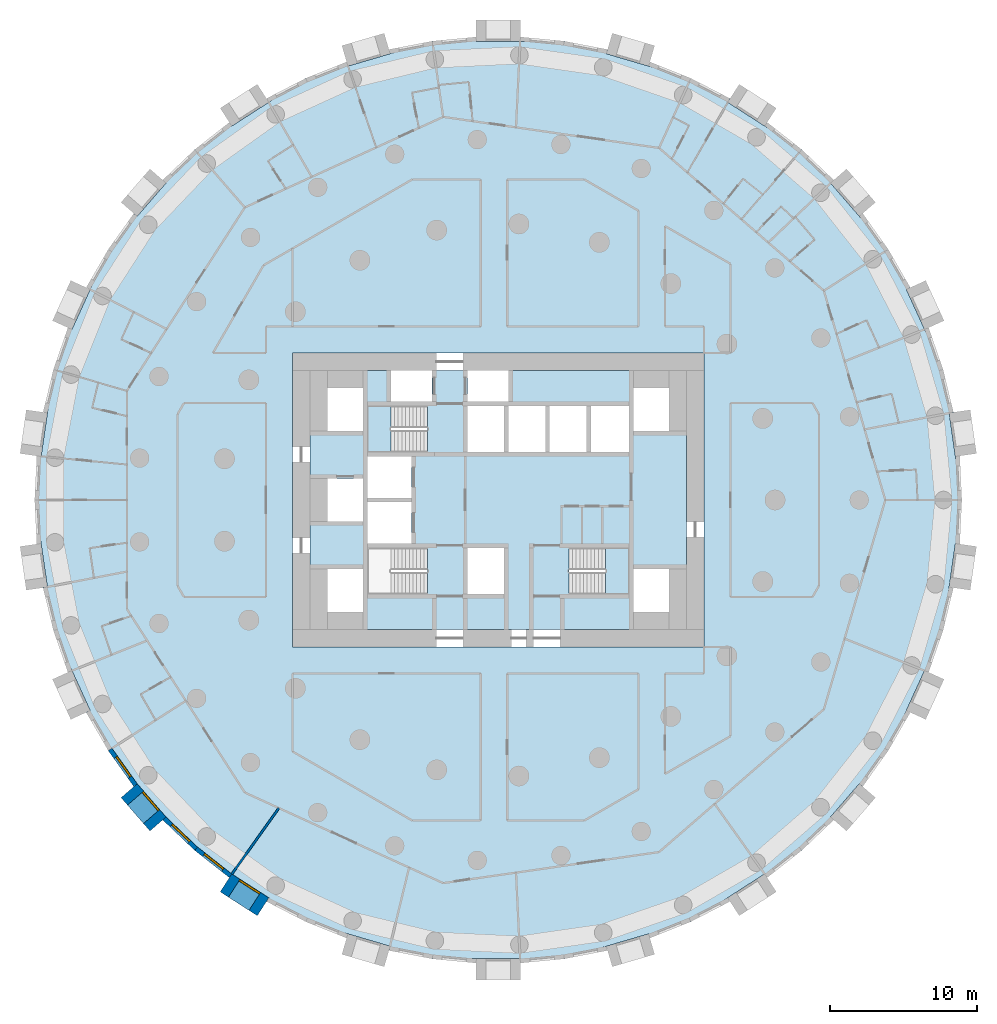
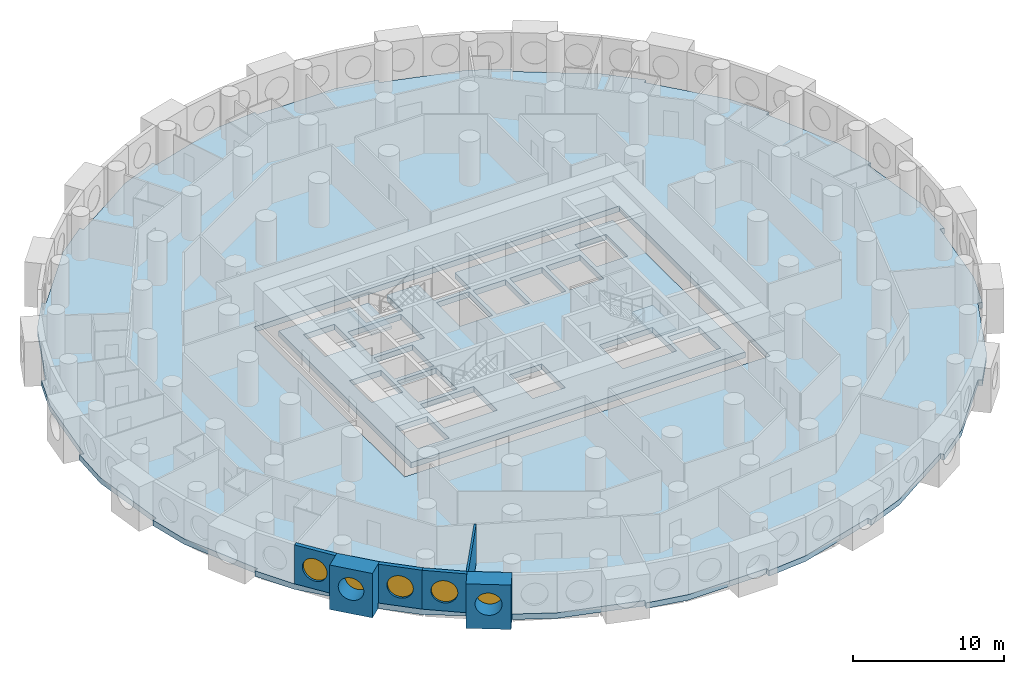
# One storey, part 2 of 12: 6 walls, 5 windows, 4 slabs, 5 openings, 2 elements without a shape of their own.
"""IFC4 building model written with IfcOpenShell, lengths in metres."""

from ifc_helpers import new_model, si_unit, direction, frame, frame_2d, origin, origin_2d, place, context, subcontext, project, spatial, polyline, rectangle, circle, outline, extrude, material, layer, layer_set, type_object, element, fill, aggregate, save


model = new_model("IFC4")

# Units and contexts
model_context = context("Model", 3, precision=1e-05, world=origin(), true_north=direction((0.0, 1.0)))
body_context = subcontext(model_context, "Body", "Model", "MODEL_VIEW")
ifc_project = project(units=[si_unit("LENGTHUNIT", "METRE"), si_unit("AREAUNIT", "SQUARE_METRE"), si_unit("VOLUMEUNIT", "CUBIC_METRE"), si_unit("PLANEANGLEUNIT", "RADIAN"), si_unit("MASSUNIT", "GRAM", prefix="KILO")], contexts=[model_context])

# Site, building, storey
site_placement = place(None, origin())
site = spatial("IfcSite", under=ifc_project, at=site_placement, CompositionType="ELEMENT")
building_placement = place(site_placement, origin())
building = spatial("IfcBuilding", under=site, at=building_placement, Name="Tracery Tower", CompositionType="ELEMENT")
storey_placement = place(building_placement, frame((0.0, 0.0, 103.800048828125)))
storey = spatial("IfcBuildingStorey", under=building, at=storey_placement, Name="L26", CompositionType="ELEMENT", Elevation=103.800048828125)

# Slabs
ifc_material_1 = material(Name="Concrete C60/75", Category="concrete")
ifc_layer_1 = layer(ifc_material_1, 0.449951171875)
ifc_layer_set_1 = layer_set([ifc_layer_1], Name="Core floor slab 450 C60")
slab_type_1 = type_object("IfcSlabType", Name="Core floor slab 450 C60", PredefinedType="FLOOR", material=ifc_layer_set_1)
slab_1_placement = place(storey_placement, frame((0.0, 0.0, -0.449951171875)))
element("IfcSlab", 1, at=slab_1_placement, inside=storey, type_object=slab_type_1, Name="L26 core floor 1", PredefinedType="FLOOR", context=body_context, shape_type="SweptSolid", body=[
    extrude(outline(polyline([(-12.800048828125, 8.800048828125), (-7.300048828125, 8.800048828125), (-7.300048828125, 6.699951171875), (-4.5, 6.699951171875), (-4.5, 8.800048828125), (-2.10009765625, 8.800048828125), (-2.10009765625, 6.699951171875), (0.699951171875, 6.699951171875), (0.699951171875, 8.800048828125), (12.800048828125, 8.800048828125), (12.800048828125, -8.800048828125), (-12.800048828125, -8.800048828125), (-12.800048828125, 8.800048828125)]), holes=[polyline([(11.60009765625, -7.60009765625), (11.60009765625, -4.699951171875), (9.199951171875, -4.699951171875), (9.199951171875, -7.60009765625), (11.60009765625, -7.60009765625)]), polyline([(11.60009765625, 4.699951171875), (11.60009765625, 7.60009765625), (9.199951171875, 7.60009765625), (9.199951171875, 4.699951171875), (11.60009765625, 4.699951171875)]), polyline([(4.800537109375, -3.25), (4.800537109375, -6.39990234375), (8.89990234375, -6.39990234375), (8.89990234375, -3.25), (4.800537109375, -3.25)]), polyline([(6.300048828125, 3.25), (8.89990234375, 3.25), (8.89990234375, 6.39990234375), (6.300048828125, 6.39990234375), (6.300048828125, 3.25)]), polyline([(3.5, 3.25), (6.0, 3.25), (6.0, 6.39990234375), (3.5, 6.39990234375), (3.5, 3.25)]), polyline([(3.199951171875, 3.25), (3.199951171875, 6.39990234375), (0.699951171875, 6.39990234375), (0.699951171875, 3.25), (3.199951171875, 3.25)]), polyline([(-2.10009765625, 3.25), (0.39990234375, 3.25), (0.39990234375, 6.39990234375), (-2.10009765625, 6.39990234375), (-2.10009765625, 3.25)]), polyline([(0.39990234375, -6.39990234375), (0.39990234375, -3.25), (-2.10009765625, -3.25), (-2.10009765625, -6.39990234375), (0.39990234375, -6.39990234375)]), polyline([(-4.800537109375, -3.25), (-8.89990234375, -3.25), (-8.89990234375, -6.39990234375), (-4.800537109375, -6.39990234375), (-4.800537109375, -3.25)]), polyline([(-4.800537109375, 6.39990234375), (-8.89990234375, 6.39990234375), (-8.89990234375, 3.25), (-4.800537109375, 3.25), (-4.800537109375, 6.39990234375)]), polyline([(-8.89990234375, -2.949951171875), (-5.89990234375, -2.949951171875), (-5.89990234375, -0.14990234375), (-8.89990234375, -0.14990234375), (-8.89990234375, -2.949951171875)]), polyline([(-5.89990234375, 0.14990234375), (-5.89990234375, 2.949951171875), (-8.89990234375, 2.949951171875), (-8.89990234375, 0.14990234375), (-5.89990234375, 0.14990234375)]), polyline([(-11.60009765625, 4.699951171875), (-9.199951171875, 4.699951171875), (-9.199951171875, 7.60009765625), (-11.60009765625, 7.60009765625), (-11.60009765625, 4.699951171875)]), polyline([(-9.199951171875, -7.60009765625), (-9.199951171875, -4.699951171875), (-11.60009765625, -4.699951171875), (-11.60009765625, -7.60009765625), (-9.199951171875, -7.60009765625)]), polyline([(-9.199951171875, -1.449951171875), (-9.199951171875, 1.449951171875), (-11.60009765625, 1.449951171875), (-11.60009765625, -1.449951171875), (-9.199951171875, -1.449951171875)])]), origin(), (0.0, 0.0, 1.0), 0.449951171875),
])
ifc_material_2 = material(Name="Concrete C50/60", Category="concrete")
ifc_layer_2 = layer(ifc_material_2, 0.449951171875)
ifc_layer_set_2 = layer_set([ifc_layer_2], Name="Floor slab 450")
slab_type_2 = type_object("IfcSlabType", Name="Floor slab 450", PredefinedType="FLOOR", material=ifc_layer_set_2)
slab_2_placement = place(storey_placement, frame((0.0, 0.0, -0.449951171875)))
element("IfcSlab", 2, at=slab_2_placement, inside=storey, type_object=slab_type_2, Name="Floor slab L26", PredefinedType="FLOOR", context=body_context, shape_type="SweptSolid", body=[
    extrude(outline(polyline([(31.0849609375, 2.953857421875), (31.0849609375, 2.953857421875), (30.673583984375, 5.814697265625), (30.659912109375, 5.9091796875), (30.659912109375, 5.9091796875), (30.657958984375, 5.92333984375), (30.954345703125, 5.966064453125), (30.954833984375, 5.966064453125), (30.24755859375, 8.881591796875), (28.99365234375, 11.591796875), (28.993408203125, 11.591796875), (28.74609375, 12.1337890625), (27.753173828125, 14.307861328125), (27.753173828125, 14.307861328125), (27.747314453125, 14.32080078125), (28.020263671875, 14.4453125), (26.520263671875, 17.04345703125), (24.55322265625, 19.290771484375), (24.55322265625, 19.290771484375), (22.588623046875, 21.55810546875), (22.814697265625, 21.75390625), (22.8154296875, 21.75439453125), (20.644287109375, 23.82470703125), (18.123779296875, 25.4267578125), (18.123779296875, 25.4267578125), (18.12060546875, 25.428955078125), (18.11181640625, 25.4345703125), (15.612060546875, 27.041015625), (15.612060546875, 27.041015625), (15.60009765625, 27.048583984375), (15.76220703125, 27.301025390625), (13.095703125, 28.67578125), (10.226318359375, 29.5029296875), (10.226318359375, 29.5029296875), (7.34765625, 30.34814453125), (7.43212890625, 30.6357421875), (7.43212890625, 30.635986328125), (4.486328125, 31.20361328125), (1.5, 31.18896484375), (1.5, 31.18896484375), (-1.5, 31.18896484375), (-1.5, 31.489013671875), (-4.486328125, 31.20361328125), (-7.34765625, 30.34814453125), (-7.34765625, 30.34814453125), (-10.226318359375, 29.5029296875), (-10.310791015625, 29.790771484375), (-10.310791015625, 29.790771484375), (-13.095703125, 28.67578125), (-15.60009765625, 27.048828125), (-15.60009765625, 27.048583984375), (-15.60888671875, 27.04296875), (-15.612060546875, 27.041015625), (-18.11181640625, 25.4345703125), (-18.11181640625, 25.4345703125), (-18.123779296875, 25.4267578125), (-18.285888671875, 25.6787109375), (-18.2861328125, 25.67919921875), (-20.644287109375, 23.82470703125), (-22.5888671875, 21.55810546875), (-22.588623046875, 21.55810546875), (-24.55322265625, 19.290771484375), (-24.77978515625, 19.487060546875), (-24.780029296875, 19.4873046875), (-26.520263671875, 17.04345703125), (-27.747314453125, 14.32080078125), (-27.747314453125, 14.32080078125), (-27.751708984375, 14.311279296875), (-27.753173828125, 14.307861328125), (-28.74609375, 12.1337890625), (-28.993408203125, 11.591796875), (-29.266357421875, 11.716552734375), (-30.24755859375, 8.881591796875), (-30.657958984375, 5.92333984375), (-30.657958984375, 5.92333984375), (-30.659912109375, 5.909423828125), (-30.659912109375, 5.9091796875), (-30.673583984375, 5.814697265625), (-31.0849609375, 2.953857421875), (-31.381591796875, 2.99658203125), (-31.3818359375, 2.99658203125), (-31.524658203125, 0.0), (-31.0849609375, -2.953857421875), (-31.0849609375, -2.953857421875), (-30.673583984375, -5.814697265625), (-30.659912109375, -5.9091796875), (-30.659912109375, -5.9091796875), (-30.657958984375, -5.92333984375), (-30.954345703125, -5.966064453125), (-30.954833984375, -5.966064453125), (-30.24755859375, -8.881591796875), (-28.99365234375, -11.591796875), (-28.993408203125, -11.591796875), (-28.74609375, -12.1337890625), (-27.753173828125, -14.307861328125), (-27.753173828125, -14.307861328125), (-27.747314453125, -14.32080078125), (-28.020263671875, -14.4453125), (-26.520263671875, -17.04345703125), (-24.55322265625, -19.290771484375), (-24.55322265625, -19.290771484375), (-22.588623046875, -21.55810546875), (-22.814697265625, -21.75390625), (-22.8154296875, -21.75439453125), (-20.644287109375, -23.82470703125), (-18.123779296875, -25.4267578125), (-18.123779296875, -25.4267578125), (-18.12060546875, -25.428955078125), (-18.11181640625, -25.4345703125), (-15.612060546875, -27.041015625), (-15.612060546875, -27.041015625), (-15.60009765625, -27.048583984375), (-15.76220703125, -27.301025390625), (-13.095703125, -28.67578125), (-10.226318359375, -29.5029296875), (-10.226318359375, -29.5029296875), (-7.34765625, -30.34814453125), (-7.43212890625, -30.6357421875), (-7.43212890625, -30.635986328125), (-4.486328125, -31.20361328125), (-1.5, -31.18896484375), (-1.5, -31.18896484375), (1.5, -31.18896484375), (1.5, -31.489013671875), (4.486328125, -31.20361328125), (7.34765625, -30.34814453125), (7.34765625, -30.34814453125), (10.226318359375, -29.5029296875), (10.310791015625, -29.790771484375), (10.310791015625, -29.790771484375), (13.095703125, -28.67578125), (15.60009765625, -27.048828125), (15.60009765625, -27.048583984375), (15.60888671875, -27.04296875), (15.612060546875, -27.041015625), (18.11181640625, -25.4345703125), (18.11181640625, -25.4345703125), (18.123779296875, -25.4267578125), (18.285888671875, -25.6787109375), (18.2861328125, -25.67919921875), (20.644287109375, -23.82470703125), (22.5888671875, -21.55810546875), (22.588623046875, -21.55810546875), (24.55322265625, -19.290771484375), (24.77978515625, -19.487060546875), (24.780029296875, -19.4873046875), (26.520263671875, -17.04345703125), (27.747314453125, -14.32080078125), (27.747314453125, -14.32080078125), (27.751708984375, -14.311279296875), (27.753173828125, -14.307861328125), (28.74609375, -12.1337890625), (28.993408203125, -11.591796875), (29.266357421875, -11.716552734375), (30.24755859375, -8.881591796875), (30.657958984375, -5.92333984375), (30.657958984375, -5.92333984375), (30.659912109375, -5.909423828125), (30.659912109375, -5.9091796875), (30.673583984375, -5.814697265625), (31.0849609375, -2.953857421875), (31.381591796875, -2.99658203125), (31.3818359375, -2.99658203125), (31.524658203125, 0.0), (31.0849609375, 2.953857421875)]), holes=[polyline([(-14.0, -10.0), (14.0, -10.0), (14.0, 10.0), (-14.0, 10.0), (-14.0, -10.0)])]), origin(), (0.0, 0.0, 1.0), 0.449951171875),
])

# Stair, slab
ifc_material_3 = material(Name="Concrete C32/40", Category="concrete")
stair_type = type_object("IfcStairType", Name="Core stair 22 risers", PredefinedType="HALF_TURN_STAIR", material=ifc_material_3)
stair_1_placement = place(storey_placement, origin())
stair_1 = element("IfcStair", 3, at=stair_1_placement, inside=storey, type_object=stair_type, Name="L26 stair ST3", PredefinedType="HALF_TURN_STAIR")
ifc_material_4 = material(Name="Concrete C32/40", Category="concrete")
ifc_layer_3 = layer(ifc_material_4, 0.199951171875)
ifc_layer_set_3 = layer_set([ifc_layer_3], Name="Stair landing slab 200")
slab_type_3 = type_object("IfcSlabType", Name="Stair landing slab 200", PredefinedType="LANDING", material=ifc_layer_set_3)
slab_3_placement = place(storey_placement, frame((0.0, 0.0, 1.599853515625)))
slab_3 = element("IfcSlab", 4, at=slab_3_placement, type_object=slab_type_3, Name="ST3 landing 1", PredefinedType="LANDING", context=body_context, shape_type="SweptSolid", body=[
    extrude(outline(polyline([(-7.29931640625, 6.39990234375), (-8.89990234375, 6.39990234375), (-8.89990234375, 3.25), (-7.29931640625, 3.25), (-7.29931640625, 6.39990234375)])), origin(), (0.0, 0.0, 1.0), 0.2001953125),
])
aggregate(stair_1, [slab_3])

stair_2_placement = place(storey_placement, origin())
stair_2 = element("IfcStair", 5, at=stair_2_placement, inside=storey, type_object=stair_type, Name="L26 stair ST2", PredefinedType="HALF_TURN_STAIR")
slab_4_placement = place(storey_placement, frame((0.0, 0.0, 1.599853515625)))
slab_4 = element("IfcSlab", 6, at=slab_4_placement, type_object=slab_type_3, Name="ST2 landing 1", PredefinedType="LANDING", context=body_context, shape_type="SweptSolid", body=[
    extrude(outline(polyline([(7.29931640625, -6.39990234375), (8.89990234375, -6.39990234375), (8.89990234375, -3.25), (7.29931640625, -3.25), (7.29931640625, -6.39990234375)])), origin(), (0.0, 0.0, 1.0), 0.2001953125),
])
aggregate(stair_2, [slab_4])

# Wall, opening, window
ifc_material_5 = material(Name="Precast concrete C50/60", Category="concrete")
ifc_layer_4 = layer(ifc_material_5, 1.449951171875)
ifc_layer_set_4 = layer_set([ifc_layer_4], Name="Deep-set bay unit 3000 x 3600, slab edge 450")
wall_type_1 = type_object("IfcWallType", Name="Deep-set bay unit 3000 x 3600, slab edge 450", PredefinedType="ELEMENTEDWALL", material=ifc_layer_set_4)
wall_1_placement = place(storey_placement, frame((-25.101318359375, -19.765625, -0.449951171875), z_axis=(0.0, 0.0, 1.0), x_axis=(0.654890259022, -0.75572398972, 0.0)))
wall_1 = element("IfcWall", 7, at=wall_1_placement, inside=storey, type_object=wall_type_1, Name="Deep-set bay unit 41 at L26", PredefinedType="ELEMENTEDWALL", context=body_context, shape_type="SweptSolid", body=[
    extrude(rectangle(XDim=3.0, YDim=1.449951171875, at=frame_2d((1.5, 0.0))), origin(), (0.0, 0.0, 1.0), 3.599853515625),
])
opening_1_placement = place(wall_1_placement, frame((1.5, 0.0, 2.0)))
opening_1 = element("IfcOpeningElement", 8, at=opening_1_placement, cuts=wall_1, Name="Opening WN1", PredefinedType="OPENING", context=body_context, shape_type="SweptSolid", body=[
    extrude(circle(Radius=0.9000244140625, at=origin_2d()), frame((0.0, 0.73486328125, 0.0), z_axis=(0.0, -1.0, 0.0), x_axis=(1.0, 0.0, 0.0)), (0.0, 0.0, 1.0), 1.469970703125),
])
ifc_material_6 = material(Name="Aluminium frame with tinted double glazing", Category="aluminium")
window_type = type_object("IfcWindowType", Name="Round window 1800", PartitioningType="SINGLE_PANEL", PredefinedType="WINDOW", material=ifc_material_6)
window_1_placement = place(opening_1_placement, origin())
window_1 = element("IfcWindow", 9, at=window_1_placement, inside=storey, type_object=window_type, Name="Round window 41 at L26", OverallHeight=1.800048828125, OverallWidth=1.800048828125, PartitioningType="SINGLE_PANEL", PredefinedType="WINDOW", context=body_context, shape_type="SweptSolid", body=[
    extrude(circle(Radius=0.9000244140625, at=origin_2d()), frame((0.0, 0.69482421875, 0.0), z_axis=(0.0, -1.0, 0.0), x_axis=(1.0, 0.0, 0.0)), (0.0, 0.0, 1.0), 0.10009765625),
])
fill(opening_1, window_1)

wall_2_placement = place(storey_placement, frame((-18.515869140625, -26.03662109375, -0.449951171875), z_axis=(0.0, 0.0, 1.0), x_axis=(0.841223422347, -0.540687667415, 0.0)))
wall_2 = element("IfcWall", 10, at=wall_2_placement, inside=storey, type_object=wall_type_1, Name="Deep-set bay unit 44 at L26", PredefinedType="ELEMENTEDWALL", context=body_context, shape_type="SweptSolid", body=[
    extrude(rectangle(XDim=3.0, YDim=1.449951171875, at=frame_2d((1.5, 0.0))), origin(), (0.0, 0.0, 1.0), 3.599853515625),
])
opening_2_placement = place(wall_2_placement, frame((1.5, 0.0, 2.0)))
opening_2 = element("IfcOpeningElement", 11, at=opening_2_placement, cuts=wall_2, Name="Opening WN1", PredefinedType="OPENING", context=body_context, shape_type="SweptSolid", body=[
    extrude(circle(Radius=0.9000244140625, at=origin_2d()), frame((0.0, 0.73486328125, 0.0), z_axis=(0.0, -1.0, 0.0), x_axis=(1.0, 0.0, 0.0)), (0.0, 0.0, 1.0), 1.469970703125),
])
window_2_placement = place(opening_2_placement, origin())
window_2 = element("IfcWindow", 12, at=window_2_placement, inside=storey, type_object=window_type, Name="Round window 44 at L26", OverallHeight=1.800048828125, OverallWidth=1.800048828125, PartitioningType="SINGLE_PANEL", PredefinedType="WINDOW", context=body_context, shape_type="SweptSolid", body=[
    extrude(circle(Radius=0.9000244140625, at=origin_2d()), frame((0.0, 0.69482421875, 0.0), z_axis=(0.0, -1.0, 0.0), x_axis=(1.0, 0.0, 0.0)), (0.0, 0.0, 1.0), 0.10009765625),
])
fill(opening_2, window_2)

ifc_material_7 = material(Name="Precast concrete C50/60", Category="concrete")
ifc_layer_5 = layer(ifc_material_7, 0.300048828125)
ifc_layer_set_5 = layer_set([ifc_layer_5], Name="Facade panel 3000 x 3150")
wall_type_2 = type_object("IfcWallType", Name="Facade panel 3000 x 3150", PredefinedType="SOLIDWALL", material=ifc_layer_set_5)
wall_3_placement = place(storey_placement, frame((-26.393798828125, -16.96240234375, 0.0), z_axis=(0.0, 0.0, 1.0), x_axis=(0.580059407678, -0.81457417315, 0.0)))
wall_3 = element("IfcWall", 13, at=wall_3_placement, inside=storey, type_object=wall_type_2, Name="Facade panel 40 at L26", PredefinedType="SOLIDWALL", context=body_context, shape_type="SweptSolid", body=[
    extrude(rectangle(XDim=2.9794921875, YDim=0.300048828125, at=frame_2d((1.48974609375, 0.0))), origin(), (0.0, 0.0, 1.0), 3.14990234375),
])
opening_3_placement = place(wall_3_placement, frame((1.48974609375, 0.0, 1.5498046875)))
opening_3 = element("IfcOpeningElement", 14, at=opening_3_placement, cuts=wall_3, Name="Opening WN1", PredefinedType="OPENING", context=body_context, shape_type="SweptSolid", body=[
    extrude(circle(Radius=0.9000244140625, at=origin_2d()), frame((0.0, 0.159912109375, 0.0), z_axis=(0.0, -1.0, 0.0), x_axis=(1.0, 0.0, 0.0)), (0.0, 0.0, 1.0), 0.320068359375),
])
window_3_placement = place(opening_3_placement, origin())
window_3 = element("IfcWindow", 15, at=window_3_placement, inside=storey, type_object=window_type, Name="Round window 40 at L26", OverallHeight=1.800048828125, OverallWidth=1.800048828125, PartitioningType="SINGLE_PANEL", PredefinedType="WINDOW", context=body_context, shape_type="SweptSolid", body=[
    extrude(circle(Radius=0.9000244140625, at=origin_2d()), frame((0.0, 0.1201171875, 0.0), z_axis=(0.0, -1.0, 0.0), x_axis=(1.0, 0.0, 0.0)), (0.0, 0.0, 1.0), 0.10009765625),
])
fill(opening_3, window_3)

wall_4_placement = place(storey_placement, frame((-22.702392578125, -21.655029296875, 0.0), z_axis=(0.0, 0.0, 1.0), x_axis=(0.723744206617, -0.690068346896, 0.0)))
wall_4 = element("IfcWall", 16, at=wall_4_placement, inside=storey, type_object=wall_type_2, Name="Facade panel 42 at L26", PredefinedType="SOLIDWALL", context=body_context, shape_type="SweptSolid", body=[
    extrude(rectangle(XDim=2.979736328125, YDim=0.300048828125, at=frame_2d((1.48974609375, 0.0))), origin(), (0.0, 0.0, 1.0), 3.14990234375),
])
opening_4_placement = place(wall_4_placement, frame((1.48974609375, 0.0, 1.5498046875)))
opening_4 = element("IfcOpeningElement", 17, at=opening_4_placement, cuts=wall_4, Name="Opening WN1", PredefinedType="OPENING", context=body_context, shape_type="SweptSolid", body=[
    extrude(circle(Radius=0.9000244140625, at=origin_2d()), frame((0.0, 0.159912109375, 0.0), z_axis=(0.0, -1.0, 0.0), x_axis=(1.0, 0.0, 0.0)), (0.0, 0.0, 1.0), 0.320068359375),
])
window_4_placement = place(opening_4_placement, origin())
window_4 = element("IfcWindow", 18, at=window_4_placement, inside=storey, type_object=window_type, Name="Round window 42 at L26", OverallHeight=1.800048828125, OverallWidth=1.800048828125, PartitioningType="SINGLE_PANEL", PredefinedType="WINDOW", context=body_context, shape_type="SweptSolid", body=[
    extrude(circle(Radius=0.9000244140625, at=origin_2d()), frame((0.0, 0.1201171875, 0.0), z_axis=(0.0, -1.0, 0.0), x_axis=(1.0, 0.0, 0.0)), (0.0, 0.0, 1.0), 0.10009765625),
])
fill(opening_4, window_4)

wall_5_placement = place(storey_placement, frame((-20.5458984375, -23.711181640625, 0.0), z_axis=(0.0, 0.0, 1.0), x_axis=(0.786045331304, -0.618168858108, 0.0)))
wall_5 = element("IfcWall", 19, at=wall_5_placement, inside=storey, type_object=wall_type_2, Name="Facade panel 43 at L26", PredefinedType="SOLIDWALL", context=body_context, shape_type="SweptSolid", body=[
    extrude(rectangle(XDim=2.979736328125, YDim=0.300048828125, at=frame_2d((1.48974609375, 0.0))), origin(), (0.0, 0.0, 1.0), 3.14990234375),
])
opening_5_placement = place(wall_5_placement, frame((1.48974609375, 0.0, 1.5498046875)))
opening_5 = element("IfcOpeningElement", 20, at=opening_5_placement, cuts=wall_5, Name="Opening WN1", PredefinedType="OPENING", context=body_context, shape_type="SweptSolid", body=[
    extrude(circle(Radius=0.9000244140625, at=origin_2d()), frame((0.0, 0.159912109375, 0.0), z_axis=(0.0, -1.0, 0.0), x_axis=(1.0, 0.0, 0.0)), (0.0, 0.0, 1.0), 0.320068359375),
])
window_5_placement = place(opening_5_placement, origin())
window_5 = element("IfcWindow", 21, at=window_5_placement, inside=storey, type_object=window_type, Name="Round window 43 at L26", OverallHeight=1.800048828125, OverallWidth=1.800048828125, PartitioningType="SINGLE_PANEL", PredefinedType="WINDOW", context=body_context, shape_type="SweptSolid", body=[
    extrude(circle(Radius=0.9000244140625, at=origin_2d()), frame((0.0, 0.1201171875, 0.0), z_axis=(0.0, -1.0, 0.0), x_axis=(1.0, 0.0, 0.0)), (0.0, 0.0, 1.0), 0.10009765625),
])
fill(opening_5, window_5)

# Wall
ifc_material_8 = material(Name="Plasterboard on steel studs", Category="steel")
ifc_layer_6 = layer(ifc_material_8, 0.14990234375)
ifc_layer_set_6 = layer_set([ifc_layer_6], Name="Partition 150 acoustic unit wall")
wall_type_3 = type_object("IfcWallType", Name="Partition 150 acoustic unit wall", PredefinedType="PARTITIONING", material=ifc_layer_set_6)
wall_6_placement = place(storey_placement, frame((-18.112060546875, -25.43505859375, 0.0), z_axis=(0.0, 0.0, 1.0), x_axis=(0.580004598464, 0.81461320009, 0.0)))
element("IfcWall", 22, at=wall_6_placement, inside=storey, type_object=wall_type_3, Name="Unit wall RA8-112", PredefinedType="PARTITIONING", context=body_context, shape_type="SweptSolid", body=[
    extrude(rectangle(XDim=5.507080078125, YDim=0.14990234375, at=frame_2d((2.75341796875, 0.0))), origin(), (0.0, 0.0, 1.0), 3.14990234375),
])

save(model, "model.ifc")
